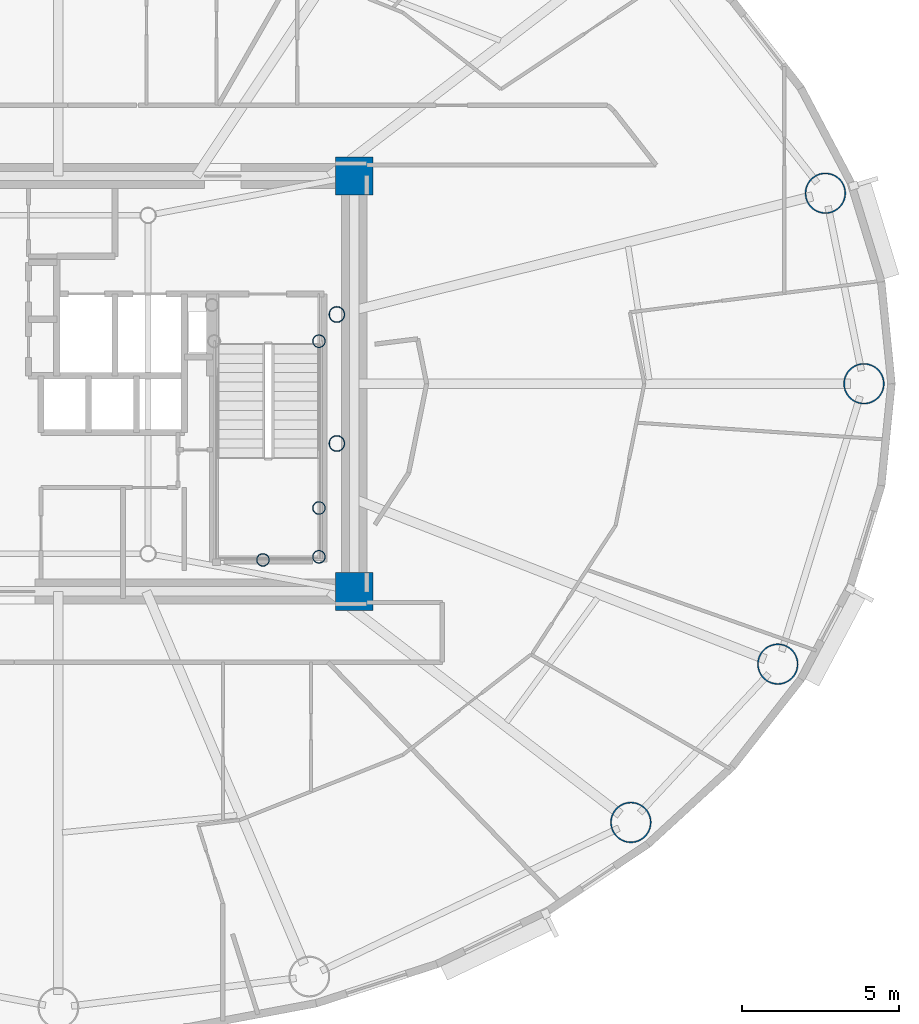
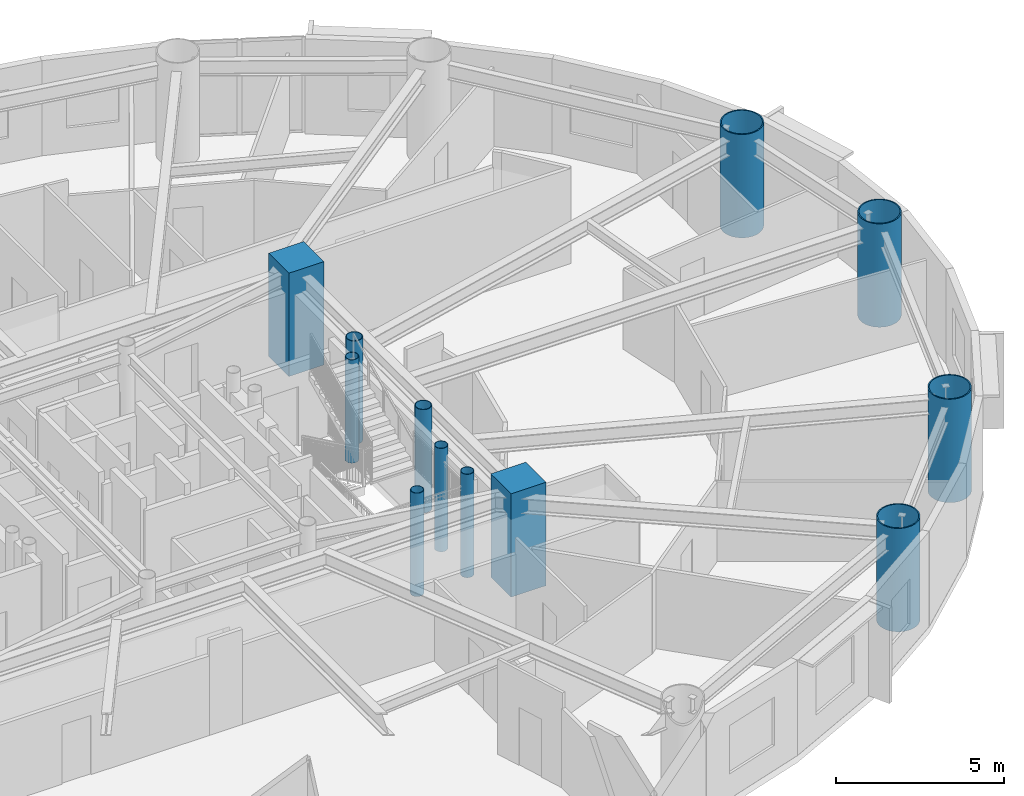
# One storey, part 2 of 17: 12 columns.
"""IFC4 building model written with IfcOpenShell, lengths in metres."""

from ifc_helpers import new_model, si_unit, direction, frame, origin, origin_2d, place, context, subcontext, project, spatial, rectangle, hollow_circle, extrude, material, material_profile, profile_set, type_object, element, save


model = new_model("IFC4")

# Units and contexts
model_context = context("Model", 3, precision=1e-05, world=origin(), true_north=direction((0.0, 1.0)))
body_context = subcontext(model_context, "Body", "Model", "MODEL_VIEW")
ifc_project = project(units=[si_unit("LENGTHUNIT", "METRE"), si_unit("AREAUNIT", "SQUARE_METRE"), si_unit("VOLUMEUNIT", "CUBIC_METRE"), si_unit("PLANEANGLEUNIT", "RADIAN"), si_unit("MASSUNIT", "GRAM", prefix="KILO")], contexts=[model_context])

# Site, building, storey
site_placement = place(None, origin())
site = spatial("IfcSite", under=ifc_project, at=site_placement, CompositionType="ELEMENT")
building_placement = place(site_placement, origin())
building = spatial("IfcBuilding", under=site, at=building_placement, Name="Linh Dai School and Residence Tower", CompositionType="ELEMENT")
storey_placement = place(building_placement, frame((0.0, 0.0, 201.14990234375)))
storey = spatial("IfcBuildingStorey", under=building, at=storey_placement, Name="L49", CompositionType="ELEMENT", Elevation=201.14990234375)

# Columns
ifc_material_1 = material(Name="Concrete B60 (C50/60)", Category="concrete")
ifc_material_profile_1 = material_profile(ifc_material_1, rectangle(XDim=1.199951171875, YDim=1.199951171875, at=origin_2d()), Name="RC 1200x1200")
ifc_profile_set_1 = profile_set([ifc_material_profile_1], Name="Concrete B60 (C50/60)")
column_type_1 = type_object("IfcColumnType", Name="COL-CC2", PredefinedType="COLUMN", material=ifc_profile_set_1)
for number, where, z_axis, x_axis, name in (
    (1, (45.39990234375, 20.39990234375, 0.0), (0.0, 0.0, 1.0), (1.0, 0.0, 0.0), "L49 Core Corner Pier CC2"),
    (2, (45.39990234375, 33.60009765625, 0.0), (0.0, 0.0, 1.0), (1.0, 0.0, 0.0), "L49 Core Corner Pier CC3"),
):
    element("IfcColumn", number, at=place(storey_placement, frame(where, z_axis=z_axis, x_axis=x_axis)), inside=storey, type_object=column_type_1, Name=name, PredefinedType="COLUMN", context=body_context, shape_type="SweptSolid", body=[
        extrude(rectangle(XDim=1.199951171875, YDim=1.199951171875, at=origin_2d()), origin(), (0.0, 0.0, 1.0), 3.75),
    ])
ifc_material_2 = material(Name="Structural Steel S355JR", Category="steel")
ifc_material_profile_2 = material_profile(ifc_material_2, hollow_circle(Radius=0.203125, WallThickness=0.01611328125, at=origin_2d()), Name="CHS 406.4x16")
ifc_profile_set_2 = profile_set([ifc_material_profile_2], Name="Structural Steel S355JR")
column_type_2 = type_object("IfcColumnType", Name="COL-EC", PredefinedType="COLUMN", material=ifc_profile_set_2)
for number, where, z_axis, x_axis, name in (
    (3, (44.280029296875, 21.5, 0.0), (0.0, 0.0, 1.0), (1.0, 0.0, 0.0), "L49 Stair Shaft Landing Support Pier ST2SE"),
    (4, (44.280029296875, 23.050048828125, 0.0), (0.0, 0.0, 1.0), (1.0, 0.0, 0.0), "L49 Stair Shaft Landing Support Pier ST2NE"),
    (5, (42.5, 21.39990234375, 0.0), (0.0, 0.0, 1.0), (1.0, 0.0, 0.0), "L49 Stair Shaft Landing Support Pier ST2MS"),
    (6, (44.280029296875, 28.35009765625, 0.0), (0.0, 0.0, 1.0), (1.0, 0.0, 0.0), "L49 Stair Shaft Landing Support Pier ST2N2"),
):
    element("IfcColumn", number, at=place(storey_placement, frame(where, z_axis=z_axis, x_axis=x_axis)), inside=storey, type_object=column_type_2, Name=name, PredefinedType="COLUMN", context=body_context, shape_type="SweptSolid", body=[
        extrude(hollow_circle(Radius=0.203125, WallThickness=0.01611328125, at=origin_2d()), origin(), (0.0, 0.0, 1.0), 3.75),
    ])
ifc_material_profile_3 = material_profile(ifc_material_2, hollow_circle(Radius=0.64990234375, WallThickness=0.0400390625, at=origin_2d()), Name="CHS 1300x40")
ifc_profile_set_3 = profile_set([ifc_material_profile_3], Name="Structural Steel S355JR")
column_type_3 = type_object("IfcColumnType", Name="COL-MC4", PredefinedType="COLUMN", material=ifc_profile_set_3)
for number, where, z_axis, x_axis, name in (
    (7, (61.60009765625, 27.0, 0.0), (0.0, 0.0, 1.0), (1.0, 0.0, 0.0), "L49 Perimeter CFT Mega-Column MC01"),
    (8, (60.37451171875, 33.053466796875, 0.0), (0.0, 0.0, 1.0), (1.0, 0.0, 0.0), "L49 Perimeter CFT Mega-Column MC02"),
    (9, (54.1923828125, 13.058349609375, 0.0), (0.0, 0.0, 1.0), (1.0, 0.0, 0.0), "L49 Perimeter CFT Mega-Column MC15"),
    (10, (58.862548828125, 18.0888671875, 0.0), (0.0, 0.0, 1.0), (1.0, 0.0, 0.0), "L49 Perimeter CFT Mega-Column MC16"),
):
    element("IfcColumn", number, at=place(storey_placement, frame(where, z_axis=z_axis, x_axis=x_axis)), inside=storey, type_object=column_type_3, Name=name, PredefinedType="COLUMN", context=body_context, shape_type="SweptSolid", body=[
        extrude(hollow_circle(Radius=0.64990234375, WallThickness=0.0400390625, at=origin_2d()), origin(), (0.0, 0.0, 1.0), 3.75),
    ])
ifc_material_profile_4 = material_profile(ifc_material_2, hollow_circle(Radius=0.25390625, WallThickness=0.02001953125, at=origin_2d()), Name="CHS 508x20")
ifc_profile_set_4 = profile_set([ifc_material_profile_4], Name="Structural Steel S355JR")
column_type_4 = type_object("IfcColumnType", Name="COL-MCP", PredefinedType="COLUMN", material=ifc_profile_set_4)
for number, where, z_axis, x_axis, name in (
    (11, (44.85009765625, 25.10009765625, 0.0), (0.0, 0.0, 1.0), (1.0, 0.0, 0.0), "L49 Sky-Lounge Core Anchor Pier S"),
    (12, (44.85009765625, 29.199951171875, 0.0), (0.0, 0.0, 1.0), (1.0, 0.0, 0.0), "L49 Sky-Lounge Core Anchor Pier N"),
):
    element("IfcColumn", number, at=place(storey_placement, frame(where, z_axis=z_axis, x_axis=x_axis)), inside=storey, type_object=column_type_4, Name=name, PredefinedType="COLUMN", context=body_context, shape_type="SweptSolid", body=[
        extrude(hollow_circle(Radius=0.25390625, WallThickness=0.02001953125, at=origin_2d()), origin(), (0.0, 0.0, 1.0), 3.75),
    ])

save(model, "model.ifc")
